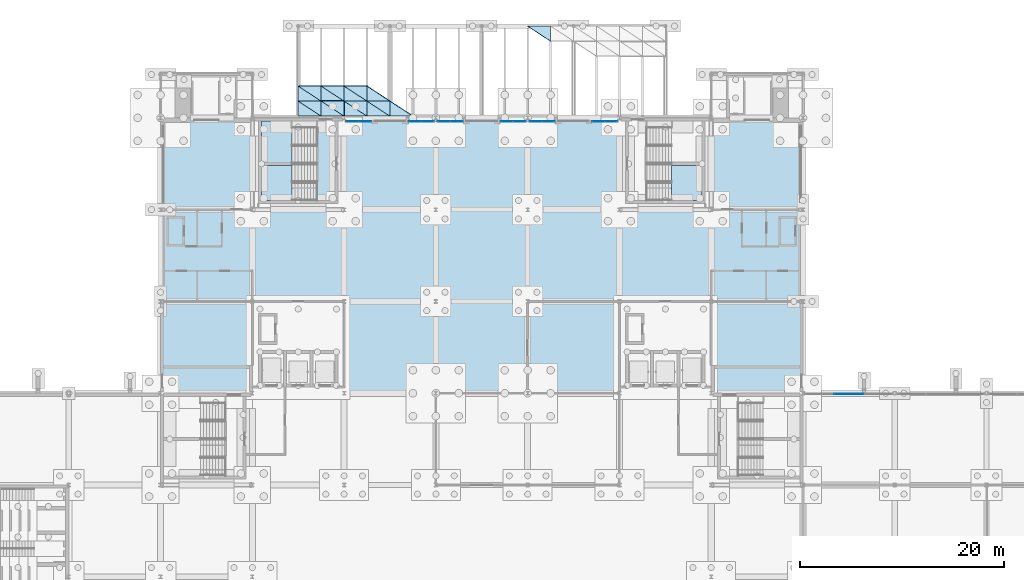
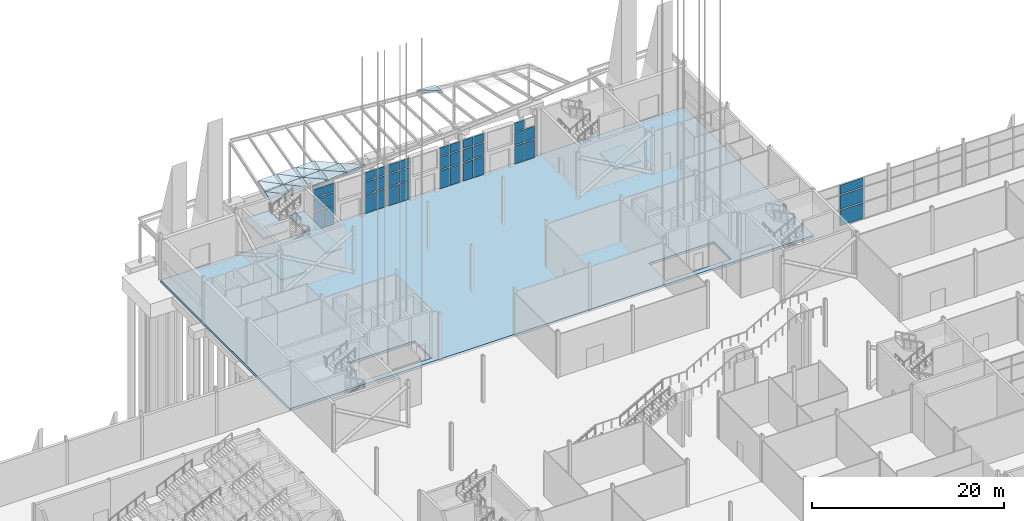
# One storey, part 93 of 139: 38 plates, 22 slabs, 9 elements without a shape of their own.
"""IFC4 building model written with IfcOpenShell, lengths in metres."""

import ifcopenshell
import ifcopenshell.guid

model = None  # the IFC model being written
_history = None  # IfcOwnerHistory: only IFC2X3 demands one
_inside = {}  # id of a spatial element -> (the spatial element, [elements in it])
_under = {}  # id of a project, library or spatial element -> (it, [spatial elements below it])
_declared = {}  # id of a project -> (the project, [libraries it declares])
_typed = {}  # id of a type object -> (the type object, [elements of that type])
_made_of = {}  # id of a material, layer set ... -> (it, [elements and type objects made of it])


def new_model(schema):
    """Start an empty IFC model of exactly this schema.

    Asked for "IFC4X3", IfcOpenShell would pick the latest addendum, in which some entities
    have other attributes; the version numbers below select the first issue.
    IFC2X3 requires an IfcOwnerHistory on every rooted entity: one is made here for all.
    """
    global model, _history
    if schema == "IFC4X3":
        model = ifcopenshell.file(schema_version=(4, 3, 0, 0))
    else:
        model = ifcopenshell.file(schema=schema)
    _inside.clear()
    _under.clear()
    _declared.clear()
    _typed.clear()
    _made_of.clear()
    _history = None
    if model.schema == "IFC2X3":
        org = make("IfcOrganization", Name="unknown")
        user = make(
            "IfcPersonAndOrganization",
            ThePerson=make("IfcPerson", FamilyName="unknown"),
            TheOrganization=org,
        )
        app = make(
            "IfcApplication",
            ApplicationDeveloper=org,
            Version="unknown",
            ApplicationFullName="unknown",
            ApplicationIdentifier="unknown",
        )
        _history = make(
            "IfcOwnerHistory",
            OwningUser=user,
            OwningApplication=app,
            ChangeAction="ADDED",
            CreationDate=0,
        )
    return model


def make(cls, **values):
    """One entity of the class cls with the attributes given. An attribute that is None is left unset."""
    return model.create_entity(
        cls, **{name: value for name, value in values.items() if value is not None}
    )


def rooted(cls, **values):
    """An entity with a GlobalId (a new one), such as an element, a storey or a relation."""
    return make(cls, GlobalId=ifcopenshell.guid.new(), OwnerHistory=_history, **values)


def si_unit(unit_type, name, prefix=None):
    """IfcSIUnit, for example si_unit("LENGTHUNIT", "METRE", prefix="MILLI")."""
    return make("IfcSIUnit", UnitType=unit_type, Prefix=prefix, Name=name)


def assignment(units):
    """IfcUnitAssignment: the units of a project."""
    return None if units is None else make("IfcUnitAssignment", Units=units)


def point(xyz):
    """IfcCartesianPoint."""
    return None if xyz is None else make("IfcCartesianPoint", Coordinates=xyz)


def direction(xyz):
    """IfcDirection."""
    return None if xyz is None else make("IfcDirection", DirectionRatios=xyz)


def frame(location, z_axis=None, x_axis=None):
    """IfcAxis2Placement3D, a coordinate frame: its origin and axes. An axis left out is left unset."""
    return make(
        "IfcAxis2Placement3D",
        Location=point(location),
        Axis=direction(z_axis),
        RefDirection=direction(x_axis),
    )


def frame_2d(location, x_axis=None):
    """IfcAxis2Placement2D, a coordinate frame in the plane: its origin and x axis."""
    return make(
        "IfcAxis2Placement2D", Location=point(location), RefDirection=direction(x_axis)
    )


def origin():
    """The frame at (0, 0, 0) with its axes left unset."""
    return frame((0.0, 0.0, 0.0))


def origin_2d():
    """The frame at (0, 0) in the plane with its x axis left unset."""
    return frame_2d((0.0, 0.0))


def place(relative_to, where):
    """IfcLocalPlacement: puts the frame where relative to a parent placement (None: the world)."""
    return make(
        "IfcLocalPlacement", PlacementRelTo=relative_to, RelativePlacement=where
    )


def context(
    kind, dimensions, precision=None, world=None, true_north=None, identifier=None
):
    """IfcGeometricRepresentationContext, for example the 3D "Model" context."""
    return make(
        "IfcGeometricRepresentationContext",
        ContextIdentifier=identifier,
        ContextType=kind,
        CoordinateSpaceDimension=dimensions,
        Precision=precision,
        WorldCoordinateSystem=world,
        TrueNorth=true_north,
    )


def subcontext(parent, identifier, kind, view, scale=None):
    """IfcGeometricRepresentationSubContext, for example "Body" below "Model"."""
    return make(
        "IfcGeometricRepresentationSubContext",
        ContextIdentifier=identifier,
        ContextType=kind,
        ParentContext=parent,
        TargetScale=scale,
        TargetView=view,
    )


def project(units=None, contexts=None):
    """IfcProject with its units and contexts."""
    return rooted(
        "IfcProject",
        Name="project",
        RepresentationContexts=contexts,
        UnitsInContext=assignment(units),
    )


def spatial(cls, under=None, at=None, **own):
    """A site, building, storey or space (cls), placed at a placement, below another one or the project."""
    s = rooted(cls, ObjectPlacement=at, **own)
    if under is not None:
        _under.setdefault(under.id(), (under, []))[1].append(s)
    return s


def polyline(points):
    """IfcPolyline through the points."""
    return make("IfcPolyline", Points=[point(p) for p in points])


def profile(cls, at=None, kind="AREA", **sizes):
    """A parametric profile (cls). Its sizes go by their IFC names, for example OverallWidth=200.0."""
    return make(cls, ProfileType=kind, Position=at, **sizes)


def rectangle(**sizes):
    """IfcRectangleProfileDef."""
    return profile("IfcRectangleProfileDef", **sizes)


def outline(outer, holes=None, kind="AREA"):
    """IfcArbitraryClosedProfileDef: a profile drawn as a closed curve; with holes, ...WithVoids."""
    if holes is None:
        return make("IfcArbitraryClosedProfileDef", ProfileType=kind, OuterCurve=outer)
    return make(
        "IfcArbitraryProfileDefWithVoids",
        ProfileType=kind,
        OuterCurve=outer,
        InnerCurves=holes,
    )


def extrude(swept, where, along, depth):
    """IfcExtrudedAreaSolid: the profile swept, set in the frame where, extruded along a direction by depth."""
    return make(
        "IfcExtrudedAreaSolid",
        SweptArea=swept,
        Position=where,
        ExtrudedDirection=direction(along),
        Depth=depth,
    )


def shape(context_of_items, identifier, shape_type, items):
    """IfcShapeRepresentation: the items that make up one representation, for example the "Body"."""
    return make(
        "IfcShapeRepresentation",
        ContextOfItems=context_of_items,
        RepresentationIdentifier=identifier,
        RepresentationType=shape_type,
        Items=items,
    )


def material(Name=None, Category=None):
    """IfcMaterial."""
    return make("IfcMaterial", Name=Name, Category=Category)


def layer(
    of_material, thickness, ventilated=None, Name=None, Category=None, Priority=None
):
    """IfcMaterialLayer: one layer of a wall or slab, of a material (None: an air gap)."""
    return make(
        "IfcMaterialLayer",
        Material=of_material,
        LayerThickness=thickness,
        IsVentilated=ventilated,
        Name=Name,
        Category=Category,
        Priority=Priority,
    )


def layer_set(layers, Name=None):
    """IfcMaterialLayerSet."""
    return make("IfcMaterialLayerSet", MaterialLayers=layers, LayerSetName=Name)


def made_of(thing, what):
    """Note that an element or type object is made of a material, layer set ...; save() writes the relation."""
    if what is not None:
        _made_of.setdefault(what.id(), (what, []))[1].append(thing)
    return thing


def type_object(cls, material=None, **own):
    """A type object (cls), such as IfcWallType, which elements share."""
    return made_of(rooted(cls, **own), material)


def element(
    cls,
    number,
    at=None,
    inside=None,
    cuts=None,
    type_object=None,
    material=None,
    context=None,
    identifier="Body",
    shape_type=None,
    held_by="IfcProductDefinitionShape",
    body=None,
    shapes=None,
    **own,
):
    """One element of the class cls, such as IfcWall. Its Tag is "e" and its number.

    at: its placement. inside: the storey or other place that contains it. cuts: it is an
    opening in that element (IfcRelVoidsElement). A single representation is given by context,
    identifier, shape_type and body (its items); several are given by shapes. held_by: the class
    of the entity that holds the representations. save() writes the other relations.
    """
    e = rooted(cls, Tag="e%d" % number, ObjectPlacement=at, **own)
    if body is not None:
        shapes = [shape(context, identifier, shape_type, body)]
    if shapes is not None:
        e.Representation = make(held_by, Representations=shapes)
    if inside is not None:
        _inside.setdefault(inside.id(), (inside, []))[1].append(e)
    if cuts is not None:
        rooted(
            "IfcRelVoidsElement", RelatingBuildingElement=cuts, RelatedOpeningElement=e
        )
    if type_object is not None:
        _typed.setdefault(type_object.id(), (type_object, []))[1].append(e)
    return made_of(e, material)


def aggregate(whole, parts):
    """IfcRelAggregates: a whole, such as a stair, and the parts it consists of."""
    return rooted("IfcRelAggregates", RelatingObject=whole, RelatedObjects=parts)


def save(model, path):
    """Write the relations noted so far, then the file.

    IfcRelAggregates (storeys below a building ...), IfcRelContainedInSpatialStructure (elements
    in a storey), IfcRelDefinesByType, IfcRelAssociatesMaterial and IfcRelDeclares: one each for
    every whole, place, type object, material and project.
    """
    for whole, parts in _under.values():
        aggregate(whole, parts)
    for where, things in _inside.values():
        rooted(
            "IfcRelContainedInSpatialStructure",
            RelatedElements=things,
            RelatingStructure=where,
        )
    for kind, things in _typed.values():
        rooted("IfcRelDefinesByType", RelatedObjects=things, RelatingType=kind)
    for what, things in _made_of.values():
        rooted("IfcRelAssociatesMaterial", RelatedObjects=things, RelatingMaterial=what)
    for by, libraries in _declared.values():
        rooted("IfcRelDeclares", RelatingContext=by, RelatedDefinitions=libraries)
    model.write(path)


model = new_model("IFC4")

# Units and contexts
model_context = context("Model", 3, precision=1e-05, world=origin(), true_north=direction((0.0, 1.0)))
body_context = subcontext(model_context, "Body", "Model", "MODEL_VIEW")
ifc_project = project(units=[si_unit("LENGTHUNIT", "METRE"), si_unit("AREAUNIT", "SQUARE_METRE"), si_unit("VOLUMEUNIT", "CUBIC_METRE"), si_unit("PLANEANGLEUNIT", "RADIAN"), si_unit("MASSUNIT", "GRAM", prefix="KILO")], contexts=[model_context])

# Site, building, storey
site_placement = place(None, origin())
site = spatial("IfcSite", under=ifc_project, at=site_placement, CompositionType="ELEMENT")
building_placement = place(site_placement, origin())
building = spatial("IfcBuilding", under=site, at=building_placement, Name="Shorebreak Coast Museum", CompositionType="ELEMENT")
storey_placement = place(building_placement, origin())
storey = spatial("IfcBuildingStorey", under=building, at=storey_placement, Name="L00", CompositionType="ELEMENT", Elevation=0.0)

# Slabs
ifc_material_1 = material(Name="Concrete N40 (40 MPa)", Category="concrete")
ifc_layer_1 = layer(ifc_material_1, 0.300048828125)
ifc_layer_set_1 = layer_set([ifc_layer_1], Name="Concrete N40 (40 MPa)")
slab_type_1 = type_object("IfcSlabType", Name="Base slab 300 concrete N40", PredefinedType="BASESLAB", material=ifc_layer_set_1)
slab_1_placement = place(storey_placement, frame((0.0, 0.0, -0.300048828125)))
element("IfcSlab", 1, at=slab_1_placement, inside=storey, type_object=slab_type_1, Name="Base slab L00 north arm", PredefinedType="BASESLAB", context=body_context, shape_type="SweptSolid", body=[
    extrude(outline(polyline([(54.0, 117.0), (54.0, 90.0), (117.0, 90.0), (117.0, 117.0), (54.0, 117.0)]), holes=[polyline([(99.60009765625, 94.199951171875), (107.39990234375, 94.199951171875), (107.39990234375, 90.60009765625), (99.60009765625, 90.60009765625), (99.60009765625, 94.199951171875)]), polyline([(71.39990234375, 94.199951171875), (71.39990234375, 90.60009765625), (63.60009765625, 90.60009765625), (63.60009765625, 94.199951171875), (71.39990234375, 94.199951171875)])]), origin(), (0.0, 0.0, 1.0), 0.300048828125),
])
ifc_material_2 = material(Name="Concrete N50 (50 MPa)", Category="concrete")
ifc_layer_2 = layer(ifc_material_2, 0.25)
ifc_layer_set_2 = layer_set([ifc_layer_2], Name="Concrete N50 (50 MPa)")
slab_type_2 = type_object("IfcSlabType", Name="Canopy facet slab 250", PredefinedType="ROOF", material=ifc_layer_set_2)
slab_2_placement = place(storey_placement, frame((67.5, 117.16357421875, 5.054443359375), z_axis=(-0.075953357636, -0.315361346587, 0.945927221589), x_axis=(0.996791849979, 0.0, 0.080037540037)))
element("IfcSlab", 2, at=slab_2_placement, inside=storey, type_object=slab_type_2, Name="Canopy facet CAN-N 1.1a", PredefinedType="ROOF", context=body_context, shape_type="SweptSolid", body=[
    extrude(outline(polyline([(0.0, 0.0), (2.257241569588644, 0.0), (0.039295774661909304, 1.5518442796851366), (0.0, 0.0)])), origin(), (0.0, 0.0, -1.0), 0.25),
])
slab_3_placement = place(storey_placement, frame((69.75, 117.16357421875, 5.235107421875), z_axis=(-0.050870038751, -0.279735130341, 0.958728583078), x_axis=(0.0, 0.959971475974, 0.280097778136)))
element("IfcSlab", 3, at=slab_3_placement, inside=storey, type_object=slab_type_2, Name="Canopy facet CAN-N 1.1b", PredefinedType="ROOF", context=body_context, shape_type="SweptSolid", body=[
    extrude(outline(polyline([(0.0, 0.0), (1.5340625079573231, -3.469446951953614e-18), (1.5006231003625192, 2.2529168933369568), (0.0, 0.0)])), origin(), (0.0, 0.0, -1.0), 0.25),
])
slab_4_placement = place(storey_placement, frame((69.75, 117.16357421875, 5.235107421875), z_axis=(-0.076956311201, -0.27926713862, 0.957124647814), x_axis=(0.996783215266, 0.0, 0.080145004613)))
element("IfcSlab", 4, at=slab_4_placement, inside=storey, type_object=slab_type_2, Name="Canopy facet CAN-N 1.2a", PredefinedType="ROOF", context=body_context, shape_type="SweptSolid", body=[
    extrude(outline(polyline([(0.0, 0.0), (2.257261123121983, -6.938893903907228e-18), (0.03443730666958051, 1.5336759273815501), (0.0, 0.0)])), origin(), (0.0, 0.0, -1.0), 0.25),
])
slab_5_placement = place(storey_placement, frame((72.0, 117.16357421875, 5.416015625), z_axis=(-0.051407596585, -0.242214933602, 0.968859734406), x_axis=(0.0, 0.970142500145, 0.242535625036)))
element("IfcSlab", 5, at=slab_5_placement, inside=storey, type_object=slab_type_2, Name="Canopy facet CAN-N 1.2b", PredefinedType="ROOF", context=body_context, shape_type="SweptSolid", body=[
    extrude(outline(polyline([(0.0, 0.0), (1.517979317244002, 0.0), (1.4890242584933264, 2.2529789894351167), (0.0, 0.0)])), origin(), (0.0, 0.0, -1.0), 0.25),
])
slab_6_placement = place(storey_placement, frame((72.0, 117.16357421875, 5.416015625), z_axis=(-0.077662453114, -0.241803097262, 0.967212389049), x_axis=(0.996791849979, 0.0, 0.080037540037)))
element("IfcSlab", 6, at=slab_6_placement, inside=storey, type_object=slab_type_2, Name="Canopy facet CAN-N 1.3a", PredefinedType="ROOF", context=body_context, shape_type="SweptSolid", body=[
    extrude(outline(polyline([(0.0, 0.0), (2.257241569588644, -6.938893903907228e-18), (0.029466945892669932, 1.5176932847846183), (0.0, 0.0)])), origin(), (0.0, 0.0, -1.0), 0.25),
])
slab_7_placement = place(storey_placement, frame((74.25, 117.16357421875, 5.5966796875), z_axis=(-0.051770001591, -0.203577196324, 0.977689210369), x_axis=(0.0, 0.979002018424, 0.203850552908)))
element("IfcSlab", 7, at=slab_7_placement, inside=storey, type_object=slab_type_2, Name="Canopy facet CAN-N 1.3b", PredefinedType="ROOF", context=body_context, shape_type="SweptSolid", body=[
    extrude(outline(polyline([(0.0, 0.0), (1.5042423021456528, -1.734723475976807e-18), (1.4799554198655975, 2.2530212240177643), (0.0, 0.0)])), origin(), (0.0, 0.0, -1.0), 0.25),
])
slab_8_placement = place(storey_placement, frame((74.25, 117.16357421875, 5.5966796875), z_axis=(-0.078367344711, -0.203223620816, 0.975991147104), x_axis=(0.996791849979, 0.0, 0.080037540037)))
element("IfcSlab", 8, at=slab_8_placement, inside=storey, type_object=slab_type_2, Name="Canopy facet CAN-N 1.4a", PredefinedType="ROOF", context=body_context, shape_type="SweptSolid", body=[
    extrude(outline(polyline([(0.0, 0.0), (2.257241569588644, -6.938893903907228e-18), (0.02454276130052615, 1.504042072693513), (0.0, 0.0)])), origin(), (0.0, 0.0, -1.0), 0.25),
])
slab_9_placement = place(storey_placement, frame((76.5, 117.16357421875, 5.77734375), z_axis=(-0.052266889115, -0.164121314927, 0.985054499146), x_axis=(0.0, 0.986402761774, 0.164345950859)))
element("IfcSlab", 9, at=slab_9_placement, inside=storey, type_object=slab_type_2, Name="Canopy facet CAN-N 1.4b", PredefinedType="ROOF", context=body_context, shape_type="SweptSolid", body=[
    extrude(outline(polyline([(0.0, 0.0), (1.4929563329191267, 0.0), (1.473335930094372, 2.2530796173363092), (0.0, 0.0)])), origin(), (0.0, 0.0, -1.0), 0.25),
])
slab_10_placement = place(storey_placement, frame((76.5, 117.16357421875, 5.77734375), z_axis=(-0.078956081469, -0.163832878488, 0.98332330651), x_axis=(0.996791849979, 0.0, 0.080037540037)))
element("IfcSlab", 10, at=slab_10_placement, inside=storey, type_object=slab_type_2, Name="Canopy facet CAN-N 1.5a", PredefinedType="ROOF", context=body_context, shape_type="SweptSolid", body=[
    extrude(outline(polyline([(0.0, 0.0), (2.257241569588644, -3.469446951953614e-18), (0.019638117123430558, 1.4928271689513066), (0.0, 0.0)])), origin(), (0.0, 0.0, -1.0), 0.25),
])
slab_11_placement = place(storey_placement, frame((67.5, 118.63623046875, 5.54541015625), z_axis=(-0.050273385481, -0.315827894068, 0.947483682203), x_axis=(0.998595289099, 0.0, 0.052985362019)))
element("IfcSlab", 11, at=slab_11_placement, inside=storey, type_object=slab_type_2, Name="Canopy facet CAN-N 2.1a", PredefinedType="ROOF", context=body_context, shape_type="SweptSolid", body=[
    extrude(outline(polyline([(0.0, 0.0), (2.253165045500071, -6.938893903907228e-18), (0.02601405347186628, 1.5523553798531244), (0.0, 0.0)])), origin(), (0.0, 0.0, -1.0), 0.25),
])
slab_12_placement = place(storey_placement, frame((69.75, 118.63623046875, 5.664794921875), z_axis=(-0.024680667007, -0.279823076264, 0.959734291701), x_axis=(0.0, 0.960026729337, 0.279908340279)))
element("IfcSlab", 12, at=slab_12_placement, inside=storey, type_object=slab_type_2, Name="Canopy facet CAN-N 2.1b", PredefinedType="ROOF", context=body_context, shape_type="SweptSolid", body=[
    extrude(outline(polyline([(0.0, 0.0), (1.5342285226179844, 0.0), (1.5180326542961657, 2.2506855904683114), (0.0, 0.0)])), origin(), (0.0, 0.0, -1.0), 0.25),
])
slab_13_placement = place(storey_placement, frame((69.75, 118.63623046875, 5.664794921875), z_axis=(-0.050872959115, -0.279545896115, 0.958783622094), x_axis=(0.998595289099, 0.0, 0.052985362019)))
element("IfcSlab", 13, at=slab_13_placement, inside=storey, type_object=slab_type_2, Name="Canopy facet CAN-N 2.2a", PredefinedType="ROOF", context=body_context, shape_type="SweptSolid", body=[
    extrude(outline(polyline([(0.0, 0.0), (2.253165045500071, -6.938893903907228e-18), (0.02275421186325847, 1.5340597789711599), (0.0, 0.0)])), origin(), (0.0, 0.0, -1.0), 0.25),
])
slab_14_placement = place(storey_placement, frame((72.0, 118.63623046875, 5.7841796875), z_axis=(-0.025045978093, -0.242421716294, 0.969847622284), x_axis=(0.0, 0.970151958675, 0.242497787781)))
element("IfcSlab", 14, at=slab_14_placement, inside=storey, type_object=slab_type_2, Name="Canopy facet CAN-N 2.2b", PredefinedType="ROOF", context=body_context, shape_type="SweptSolid", body=[
    extrude(outline(polyline([(0.0, 0.0), (1.5182161695950223, 1.734723475976807e-18), (1.5041257219651745, 2.250706045840782), (0.0, 0.0)])), origin(), (0.0, 0.0, -1.0), 0.25),
])
slab_15_placement = place(storey_placement, frame((72.0, 118.63623046875, 5.7841796875), z_axis=(-0.051303244418, -0.242178447651, 0.968874386392), x_axis=(0.998601016426, 0.0, 0.052877310766)))
element("IfcSlab", 15, at=slab_15_placement, inside=storey, type_object=slab_type_2, Name="Canopy facet CAN-N 2.3a", PredefinedType="ROOF", context=body_context, shape_type="SweptSolid", body=[
    extrude(outline(polyline([(0.0, 0.0), (2.253152122810484, 3.469446951953614e-18), (0.0194675255455348, 1.518091352017037), (0.0, 0.0)])), origin(), (0.0, 0.0, -1.0), 0.25),
])
slab_16_placement = place(storey_placement, frame((74.25, 118.63623046875, 5.9033203125), z_axis=(-0.025167524689, -0.203909084961, 0.978666276507), x_axis=(0.0, 0.978976369539, 0.203973694101)))
element("IfcSlab", 16, at=slab_16_placement, inside=storey, type_object=slab_type_2, Name="Canopy facet CAN-N 2.3b", PredefinedType="ROOF", context=body_context, shape_type="SweptSolid", body=[
    extrude(outline(polyline([(0.0, 0.0), (1.5045310964137593, 8.673617379884035e-19), (1.4927289075705261, 2.25071291852846), (0.0, 0.0)])), origin(), (0.0, 0.0, -1.0), 0.25),
])
slab_17_placement = place(storey_placement, frame((74.25, 118.63623046875, 5.9033203125), z_axis=(-0.051874447025, -0.203699066876, 0.977658289946), x_axis=(0.998595289099, 0.0, 0.052985362019)))
element("IfcSlab", 17, at=slab_17_placement, inside=storey, type_object=slab_type_2, Name="Canopy facet CAN-N 2.4a", PredefinedType="ROOF", context=body_context, shape_type="SweptSolid", body=[
    extrude(outline(polyline([(0.0, 0.0), (2.253165045500071, -3.469446951953614e-18), (0.01626040040484133, 1.504443225733249), (0.0, 0.0)])), origin(), (0.0, 0.0, -1.0), 0.25),
])
slab_18_placement = place(storey_placement, frame((92.25, 124.52734375, 6.12158203125), z_axis=(0.082408564343, 0.123612846515, 0.988902772116), x_axis=(0.0, 0.992277876714, -0.124034734589)))
element("IfcSlab", 18, at=slab_18_placement, inside=storey, type_object=slab_type_2, Name="Canopy facet CAN-N 6.11b", PredefinedType="ROOF", context=body_context, shape_type="SweptSolid", body=[
    extrude(outline(polyline([(0.0, 0.0), (1.4841167827678483, 0.0), (1.4608602700323718, 2.25767920321187), (0.0, 0.0)])), origin(), (0.0, 0.0, -1.0), 0.25),
])

# Curtain wall, plates
ifc_material_3 = material(Name="Aluminium", Category="aluminium")
ifc_layer_3 = layer(ifc_material_3, 0.1201171875)
ifc_layer_set_3 = layer_set([ifc_layer_3], Name="Aluminium")
curtain_wall_type_1 = type_object("IfcCurtainWallType", Name="Entrance sidelight curtain wall", PredefinedType="NOTDEFINED", material=ifc_layer_set_3)
curtain_wall_1_placement = place(storey_placement, origin())
curtain_wall_1 = element("IfcCurtainWall", 19, at=curtain_wall_1_placement, inside=storey, type_object=curtain_wall_type_1, Name="Entrance glazing ENT-N 5", PredefinedType="NOTDEFINED")
ifc_material_4 = material(Name="Glass", Category="glass")
ifc_layer_4 = layer(ifc_material_4, 0.028076171875)
ifc_layer_set_4 = layer_set([ifc_layer_4], Name="Glass")
plate_type_1 = type_object("IfcPlateType", Name="Entrance glass panel 28", PredefinedType="CURTAIN_PANEL", material=ifc_layer_set_4)
plate_1_placement = place(storey_placement, frame((72.80419921875, 116.6416015625, 0.1201171875), z_axis=(0.0, 0.0, 1.0), x_axis=(1.0, 0.0, 0.0)))
plate_1 = element("IfcPlate", 20, at=plate_1_placement, type_object=plate_type_1, Name="CW2 panel 1.1", PredefinedType="CURTAIN_PANEL", context=body_context, shape_type="SweptSolid", body=[
    extrude(rectangle(XDim=1.197265625, YDim=0.028076171875, at=origin_2d()), origin(), (0.0, 0.0, 1.0), 2.320068359375),
])
plate_2_placement = place(storey_placement, frame((72.80419921875, 116.6416015625, 2.56005859375), z_axis=(0.0, 0.0, 1.0), x_axis=(1.0, 0.0, 0.0)))
plate_2 = element("IfcPlate", 21, at=plate_2_placement, type_object=plate_type_1, Name="CW2 panel 1.2", PredefinedType="CURTAIN_PANEL", context=body_context, shape_type="SweptSolid", body=[
    extrude(rectangle(XDim=1.197265625, YDim=0.028076171875, at=origin_2d()), origin(), (0.0, 0.0, 1.0), 1.580078125),
])
plate_3_placement = place(storey_placement, frame((72.80419921875, 116.6416015625, 4.260009765625), z_axis=(0.0, 0.0, 1.0), x_axis=(1.0, 0.0, 0.0)))
plate_3 = element("IfcPlate", 22, at=plate_3_placement, type_object=plate_type_1, Name="CW2 panel 1.3", PredefinedType="CURTAIN_PANEL", context=body_context, shape_type="SweptSolid", body=[
    extrude(rectangle(XDim=1.197265625, YDim=0.028076171875, at=origin_2d()), origin(), (0.0, 0.0, 1.0), 1.08642578125),
])
plate_4_placement = place(storey_placement, frame((74.05126953125, 116.6416015625, 0.1201171875), z_axis=(0.0, 0.0, 1.0), x_axis=(1.0, 0.0, 0.0)))
plate_4 = element("IfcPlate", 23, at=plate_4_placement, type_object=plate_type_1, Name="CW2 panel 2.1", PredefinedType="CURTAIN_PANEL", context=body_context, shape_type="SweptSolid", body=[
    extrude(rectangle(XDim=1.197265625, YDim=0.028076171875, at=origin_2d()), origin(), (0.0, 0.0, 1.0), 2.320068359375),
])
plate_5_placement = place(storey_placement, frame((74.05126953125, 116.6416015625, 2.56005859375), z_axis=(0.0, 0.0, 1.0), x_axis=(1.0, 0.0, 0.0)))
plate_5 = element("IfcPlate", 24, at=plate_5_placement, type_object=plate_type_1, Name="CW2 panel 2.2", PredefinedType="CURTAIN_PANEL", context=body_context, shape_type="SweptSolid", body=[
    extrude(rectangle(XDim=1.197265625, YDim=0.028076171875, at=origin_2d()), origin(), (0.0, 0.0, 1.0), 1.580078125),
])
plate_6_placement = place(storey_placement, frame((74.05126953125, 116.6416015625, 4.260009765625), z_axis=(0.0, 0.0, 1.0), x_axis=(1.0, 0.0, 0.0)))
plate_6 = element("IfcPlate", 25, at=plate_6_placement, type_object=plate_type_1, Name="CW2 panel 2.3", PredefinedType="CURTAIN_PANEL", context=body_context, shape_type="SweptSolid", body=[
    extrude(rectangle(XDim=1.197265625, YDim=0.028076171875, at=origin_2d()), origin(), (0.0, 0.0, 1.0), 1.08642578125),
])
aggregate(curtain_wall_1, [plate_1, plate_2, plate_3, plate_4, plate_5, plate_6])

curtain_wall_2_placement = place(storey_placement, origin())
curtain_wall_2 = element("IfcCurtainWall", 26, at=curtain_wall_2_placement, inside=storey, type_object=curtain_wall_type_1, Name="Entrance glazing ENT-N 6", PredefinedType="NOTDEFINED")
plate_7_placement = place(storey_placement, frame((78.94873046875, 116.6416015625, 0.1201171875), z_axis=(0.0, 0.0, 1.0), x_axis=(1.0, 0.0, 0.0)))
plate_7 = element("IfcPlate", 27, at=plate_7_placement, type_object=plate_type_1, Name="CW1 panel 1.1", PredefinedType="CURTAIN_PANEL", context=body_context, shape_type="SweptSolid", body=[
    extrude(rectangle(XDim=1.197265625, YDim=0.028076171875, at=origin_2d()), origin(), (0.0, 0.0, 1.0), 2.320068359375),
])
plate_8_placement = place(storey_placement, frame((78.94873046875, 116.6416015625, 2.56005859375), z_axis=(0.0, 0.0, 1.0), x_axis=(1.0, 0.0, 0.0)))
plate_8 = element("IfcPlate", 28, at=plate_8_placement, type_object=plate_type_1, Name="CW1 panel 1.2", PredefinedType="CURTAIN_PANEL", context=body_context, shape_type="SweptSolid", body=[
    extrude(rectangle(XDim=1.197265625, YDim=0.028076171875, at=origin_2d()), origin(), (0.0, 0.0, 1.0), 1.580078125),
])
plate_9_placement = place(storey_placement, frame((78.94873046875, 116.6416015625, 4.260009765625), z_axis=(0.0, 0.0, 1.0), x_axis=(1.0, 0.0, 0.0)))
plate_9 = element("IfcPlate", 29, at=plate_9_placement, type_object=plate_type_1, Name="CW1 panel 1.3", PredefinedType="CURTAIN_PANEL", context=body_context, shape_type="SweptSolid", body=[
    extrude(rectangle(XDim=1.197265625, YDim=0.028076171875, at=origin_2d()), origin(), (0.0, 0.0, 1.0), 1.08642578125),
])
plate_10_placement = place(storey_placement, frame((80.19580078125, 116.6416015625, 0.1201171875), z_axis=(0.0, 0.0, 1.0), x_axis=(1.0, 0.0, 0.0)))
plate_10 = element("IfcPlate", 30, at=plate_10_placement, type_object=plate_type_1, Name="CW1 panel 2.1", PredefinedType="CURTAIN_PANEL", context=body_context, shape_type="SweptSolid", body=[
    extrude(rectangle(XDim=1.197265625, YDim=0.028076171875, at=origin_2d()), origin(), (0.0, 0.0, 1.0), 2.320068359375),
])
plate_11_placement = place(storey_placement, frame((80.19580078125, 116.6416015625, 2.56005859375), z_axis=(0.0, 0.0, 1.0), x_axis=(1.0, 0.0, 0.0)))
plate_11 = element("IfcPlate", 31, at=plate_11_placement, type_object=plate_type_1, Name="CW1 panel 2.2", PredefinedType="CURTAIN_PANEL", context=body_context, shape_type="SweptSolid", body=[
    extrude(rectangle(XDim=1.197265625, YDim=0.028076171875, at=origin_2d()), origin(), (0.0, 0.0, 1.0), 1.580078125),
])
plate_12_placement = place(storey_placement, frame((80.19580078125, 116.6416015625, 4.260009765625), z_axis=(0.0, 0.0, 1.0), x_axis=(1.0, 0.0, 0.0)))
plate_12 = element("IfcPlate", 32, at=plate_12_placement, type_object=plate_type_1, Name="CW1 panel 2.3", PredefinedType="CURTAIN_PANEL", context=body_context, shape_type="SweptSolid", body=[
    extrude(rectangle(XDim=1.197265625, YDim=0.028076171875, at=origin_2d()), origin(), (0.0, 0.0, 1.0), 1.08642578125),
])
aggregate(curtain_wall_2, [plate_7, plate_8, plate_9, plate_10, plate_11, plate_12])

curtain_wall_3_placement = place(storey_placement, origin())
curtain_wall_3 = element("IfcCurtainWall", 33, at=curtain_wall_3_placement, inside=storey, type_object=curtain_wall_type_1, Name="Entrance glazing ENT-N 7", PredefinedType="NOTDEFINED")
plate_13_placement = place(storey_placement, frame((81.80419921875, 116.6416015625, 0.1201171875), z_axis=(0.0, 0.0, 1.0), x_axis=(1.0, 0.0, 0.0)))
plate_13 = element("IfcPlate", 34, at=plate_13_placement, type_object=plate_type_1, Name="CW2 panel 1.1", PredefinedType="CURTAIN_PANEL", context=body_context, shape_type="SweptSolid", body=[
    extrude(rectangle(XDim=1.197265625, YDim=0.028076171875, at=origin_2d()), origin(), (0.0, 0.0, 1.0), 2.320068359375),
])
plate_14_placement = place(storey_placement, frame((81.80419921875, 116.6416015625, 2.56005859375), z_axis=(0.0, 0.0, 1.0), x_axis=(1.0, 0.0, 0.0)))
plate_14 = element("IfcPlate", 35, at=plate_14_placement, type_object=plate_type_1, Name="CW2 panel 1.2", PredefinedType="CURTAIN_PANEL", context=body_context, shape_type="SweptSolid", body=[
    extrude(rectangle(XDim=1.197265625, YDim=0.028076171875, at=origin_2d()), origin(), (0.0, 0.0, 1.0), 1.580078125),
])
plate_15_placement = place(storey_placement, frame((81.80419921875, 116.6416015625, 4.260009765625), z_axis=(0.0, 0.0, 1.0), x_axis=(1.0, 0.0, 0.0)))
plate_15 = element("IfcPlate", 36, at=plate_15_placement, type_object=plate_type_1, Name="CW2 panel 1.3", PredefinedType="CURTAIN_PANEL", context=body_context, shape_type="SweptSolid", body=[
    extrude(rectangle(XDim=1.197265625, YDim=0.028076171875, at=origin_2d()), origin(), (0.0, 0.0, 1.0), 1.08642578125),
])
plate_16_placement = place(storey_placement, frame((83.05126953125, 116.6416015625, 0.1201171875), z_axis=(0.0, 0.0, 1.0), x_axis=(1.0, 0.0, 0.0)))
plate_16 = element("IfcPlate", 37, at=plate_16_placement, type_object=plate_type_1, Name="CW2 panel 2.1", PredefinedType="CURTAIN_PANEL", context=body_context, shape_type="SweptSolid", body=[
    extrude(rectangle(XDim=1.197265625, YDim=0.028076171875, at=origin_2d()), origin(), (0.0, 0.0, 1.0), 2.320068359375),
])
plate_17_placement = place(storey_placement, frame((83.05126953125, 116.6416015625, 2.56005859375), z_axis=(0.0, 0.0, 1.0), x_axis=(1.0, 0.0, 0.0)))
plate_17 = element("IfcPlate", 38, at=plate_17_placement, type_object=plate_type_1, Name="CW2 panel 2.2", PredefinedType="CURTAIN_PANEL", context=body_context, shape_type="SweptSolid", body=[
    extrude(rectangle(XDim=1.197265625, YDim=0.028076171875, at=origin_2d()), origin(), (0.0, 0.0, 1.0), 1.580078125),
])
plate_18_placement = place(storey_placement, frame((83.05126953125, 116.6416015625, 4.260009765625), z_axis=(0.0, 0.0, 1.0), x_axis=(1.0, 0.0, 0.0)))
plate_18 = element("IfcPlate", 39, at=plate_18_placement, type_object=plate_type_1, Name="CW2 panel 2.3", PredefinedType="CURTAIN_PANEL", context=body_context, shape_type="SweptSolid", body=[
    extrude(rectangle(XDim=1.197265625, YDim=0.028076171875, at=origin_2d()), origin(), (0.0, 0.0, 1.0), 1.08642578125),
])
aggregate(curtain_wall_3, [plate_13, plate_14, plate_15, plate_16, plate_17, plate_18])

curtain_wall_4_placement = place(storey_placement, origin())
curtain_wall_4 = element("IfcCurtainWall", 40, at=curtain_wall_4_placement, inside=storey, type_object=curtain_wall_type_1, Name="Entrance glazing ENT-N 8", PredefinedType="NOTDEFINED")
plate_19_placement = place(storey_placement, frame((87.94873046875, 116.6416015625, 0.1201171875), z_axis=(0.0, 0.0, 1.0), x_axis=(1.0, 0.0, 0.0)))
plate_19 = element("IfcPlate", 41, at=plate_19_placement, type_object=plate_type_1, Name="CW1 panel 1.1", PredefinedType="CURTAIN_PANEL", context=body_context, shape_type="SweptSolid", body=[
    extrude(rectangle(XDim=1.197265625, YDim=0.028076171875, at=origin_2d()), origin(), (0.0, 0.0, 1.0), 2.320068359375),
])
plate_20_placement = place(storey_placement, frame((87.94873046875, 116.6416015625, 2.56005859375), z_axis=(0.0, 0.0, 1.0), x_axis=(1.0, 0.0, 0.0)))
plate_20 = element("IfcPlate", 42, at=plate_20_placement, type_object=plate_type_1, Name="CW1 panel 1.2", PredefinedType="CURTAIN_PANEL", context=body_context, shape_type="SweptSolid", body=[
    extrude(rectangle(XDim=1.197265625, YDim=0.028076171875, at=origin_2d()), origin(), (0.0, 0.0, 1.0), 1.580078125),
])
plate_21_placement = place(storey_placement, frame((87.94873046875, 116.6416015625, 4.260009765625), z_axis=(0.0, 0.0, 1.0), x_axis=(1.0, 0.0, 0.0)))
plate_21 = element("IfcPlate", 43, at=plate_21_placement, type_object=plate_type_1, Name="CW1 panel 1.3", PredefinedType="CURTAIN_PANEL", context=body_context, shape_type="SweptSolid", body=[
    extrude(rectangle(XDim=1.197265625, YDim=0.028076171875, at=origin_2d()), origin(), (0.0, 0.0, 1.0), 1.08642578125),
])
plate_22_placement = place(storey_placement, frame((89.19580078125, 116.6416015625, 0.1201171875), z_axis=(0.0, 0.0, 1.0), x_axis=(1.0, 0.0, 0.0)))
plate_22 = element("IfcPlate", 44, at=plate_22_placement, type_object=plate_type_1, Name="CW1 panel 2.1", PredefinedType="CURTAIN_PANEL", context=body_context, shape_type="SweptSolid", body=[
    extrude(rectangle(XDim=1.197265625, YDim=0.028076171875, at=origin_2d()), origin(), (0.0, 0.0, 1.0), 2.320068359375),
])
plate_23_placement = place(storey_placement, frame((89.19580078125, 116.6416015625, 2.56005859375), z_axis=(0.0, 0.0, 1.0), x_axis=(1.0, 0.0, 0.0)))
plate_23 = element("IfcPlate", 45, at=plate_23_placement, type_object=plate_type_1, Name="CW1 panel 2.2", PredefinedType="CURTAIN_PANEL", context=body_context, shape_type="SweptSolid", body=[
    extrude(rectangle(XDim=1.197265625, YDim=0.028076171875, at=origin_2d()), origin(), (0.0, 0.0, 1.0), 1.580078125),
])
plate_24_placement = place(storey_placement, frame((89.19580078125, 116.6416015625, 4.260009765625), z_axis=(0.0, 0.0, 1.0), x_axis=(1.0, 0.0, 0.0)))
plate_24 = element("IfcPlate", 46, at=plate_24_placement, type_object=plate_type_1, Name="CW1 panel 2.3", PredefinedType="CURTAIN_PANEL", context=body_context, shape_type="SweptSolid", body=[
    extrude(rectangle(XDim=1.197265625, YDim=0.028076171875, at=origin_2d()), origin(), (0.0, 0.0, 1.0), 1.08642578125),
])
aggregate(curtain_wall_4, [plate_19, plate_20, plate_21, plate_22, plate_23, plate_24])

curtain_wall_5_placement = place(storey_placement, origin())
curtain_wall_5 = element("IfcCurtainWall", 47, at=curtain_wall_5_placement, inside=storey, type_object=curtain_wall_type_1, Name="Entrance glazing ENT-N 9", PredefinedType="NOTDEFINED")
plate_25_placement = place(storey_placement, frame((90.80419921875, 116.6416015625, 0.1201171875), z_axis=(0.0, 0.0, 1.0), x_axis=(1.0, 0.0, 0.0)))
plate_25 = element("IfcPlate", 48, at=plate_25_placement, type_object=plate_type_1, Name="CW2 panel 1.1", PredefinedType="CURTAIN_PANEL", context=body_context, shape_type="SweptSolid", body=[
    extrude(rectangle(XDim=1.197265625, YDim=0.028076171875, at=origin_2d()), origin(), (0.0, 0.0, 1.0), 2.320068359375),
])
plate_26_placement = place(storey_placement, frame((90.80419921875, 116.6416015625, 2.56005859375), z_axis=(0.0, 0.0, 1.0), x_axis=(1.0, 0.0, 0.0)))
plate_26 = element("IfcPlate", 49, at=plate_26_placement, type_object=plate_type_1, Name="CW2 panel 1.2", PredefinedType="CURTAIN_PANEL", context=body_context, shape_type="SweptSolid", body=[
    extrude(rectangle(XDim=1.197265625, YDim=0.028076171875, at=origin_2d()), origin(), (0.0, 0.0, 1.0), 1.580078125),
])
plate_27_placement = place(storey_placement, frame((90.80419921875, 116.6416015625, 4.260009765625), z_axis=(0.0, 0.0, 1.0), x_axis=(1.0, 0.0, 0.0)))
plate_27 = element("IfcPlate", 50, at=plate_27_placement, type_object=plate_type_1, Name="CW2 panel 1.3", PredefinedType="CURTAIN_PANEL", context=body_context, shape_type="SweptSolid", body=[
    extrude(rectangle(XDim=1.197265625, YDim=0.028076171875, at=origin_2d()), origin(), (0.0, 0.0, 1.0), 1.08642578125),
])
plate_28_placement = place(storey_placement, frame((92.05126953125, 116.6416015625, 0.1201171875), z_axis=(0.0, 0.0, 1.0), x_axis=(1.0, 0.0, 0.0)))
plate_28 = element("IfcPlate", 51, at=plate_28_placement, type_object=plate_type_1, Name="CW2 panel 2.1", PredefinedType="CURTAIN_PANEL", context=body_context, shape_type="SweptSolid", body=[
    extrude(rectangle(XDim=1.197265625, YDim=0.028076171875, at=origin_2d()), origin(), (0.0, 0.0, 1.0), 2.320068359375),
])
plate_29_placement = place(storey_placement, frame((92.05126953125, 116.6416015625, 2.56005859375), z_axis=(0.0, 0.0, 1.0), x_axis=(1.0, 0.0, 0.0)))
plate_29 = element("IfcPlate", 52, at=plate_29_placement, type_object=plate_type_1, Name="CW2 panel 2.2", PredefinedType="CURTAIN_PANEL", context=body_context, shape_type="SweptSolid", body=[
    extrude(rectangle(XDim=1.197265625, YDim=0.028076171875, at=origin_2d()), origin(), (0.0, 0.0, 1.0), 1.580078125),
])
plate_30_placement = place(storey_placement, frame((92.05126953125, 116.6416015625, 4.260009765625), z_axis=(0.0, 0.0, 1.0), x_axis=(1.0, 0.0, 0.0)))
plate_30 = element("IfcPlate", 53, at=plate_30_placement, type_object=plate_type_1, Name="CW2 panel 2.3", PredefinedType="CURTAIN_PANEL", context=body_context, shape_type="SweptSolid", body=[
    extrude(rectangle(XDim=1.197265625, YDim=0.028076171875, at=origin_2d()), origin(), (0.0, 0.0, 1.0), 1.08642578125),
])
aggregate(curtain_wall_5, [plate_25, plate_26, plate_27, plate_28, plate_29, plate_30])

curtain_wall_6_placement = place(storey_placement, origin())
curtain_wall_6 = element("IfcCurtainWall", 54, at=curtain_wall_6_placement, inside=storey, type_object=curtain_wall_type_1, Name="Entrance glazing ENT-N 10", PredefinedType="NOTDEFINED")
plate_31_placement = place(storey_placement, frame((96.94873046875, 116.6416015625, 0.1201171875), z_axis=(0.0, 0.0, 1.0), x_axis=(1.0, 0.0, 0.0)))
plate_31 = element("IfcPlate", 55, at=plate_31_placement, type_object=plate_type_1, Name="CW1 panel 1.1", PredefinedType="CURTAIN_PANEL", context=body_context, shape_type="SweptSolid", body=[
    extrude(rectangle(XDim=1.197265625, YDim=0.028076171875, at=origin_2d()), origin(), (0.0, 0.0, 1.0), 2.320068359375),
])
plate_32_placement = place(storey_placement, frame((96.94873046875, 116.6416015625, 2.56005859375), z_axis=(0.0, 0.0, 1.0), x_axis=(1.0, 0.0, 0.0)))
plate_32 = element("IfcPlate", 56, at=plate_32_placement, type_object=plate_type_1, Name="CW1 panel 1.2", PredefinedType="CURTAIN_PANEL", context=body_context, shape_type="SweptSolid", body=[
    extrude(rectangle(XDim=1.197265625, YDim=0.028076171875, at=origin_2d()), origin(), (0.0, 0.0, 1.0), 1.580078125),
])
plate_33_placement = place(storey_placement, frame((96.94873046875, 116.6416015625, 4.260009765625), z_axis=(0.0, 0.0, 1.0), x_axis=(1.0, 0.0, 0.0)))
plate_33 = element("IfcPlate", 57, at=plate_33_placement, type_object=plate_type_1, Name="CW1 panel 1.3", PredefinedType="CURTAIN_PANEL", context=body_context, shape_type="SweptSolid", body=[
    extrude(rectangle(XDim=1.197265625, YDim=0.028076171875, at=origin_2d()), origin(), (0.0, 0.0, 1.0), 1.08642578125),
])
plate_34_placement = place(storey_placement, frame((98.19580078125, 116.6416015625, 0.1201171875), z_axis=(0.0, 0.0, 1.0), x_axis=(1.0, 0.0, 0.0)))
plate_34 = element("IfcPlate", 58, at=plate_34_placement, type_object=plate_type_1, Name="CW1 panel 2.1", PredefinedType="CURTAIN_PANEL", context=body_context, shape_type="SweptSolid", body=[
    extrude(rectangle(XDim=1.197265625, YDim=0.028076171875, at=origin_2d()), origin(), (0.0, 0.0, 1.0), 2.320068359375),
])
plate_35_placement = place(storey_placement, frame((98.19580078125, 116.6416015625, 2.56005859375), z_axis=(0.0, 0.0, 1.0), x_axis=(1.0, 0.0, 0.0)))
plate_35 = element("IfcPlate", 59, at=plate_35_placement, type_object=plate_type_1, Name="CW1 panel 2.2", PredefinedType="CURTAIN_PANEL", context=body_context, shape_type="SweptSolid", body=[
    extrude(rectangle(XDim=1.197265625, YDim=0.028076171875, at=origin_2d()), origin(), (0.0, 0.0, 1.0), 1.580078125),
])
aggregate(curtain_wall_6, [plate_31, plate_32, plate_33, plate_34, plate_35])

# Stair, slabs
ifc_material_5 = material(Name="Concrete N40 (40 MPa)", Category="concrete")
stair_type = type_object("IfcStairType", Name="Stair run 6 m", PredefinedType="DOUBLE_RETURN_STAIR", material=ifc_material_5)
stair_1_placement = place(storey_placement, origin())
stair_1 = element("IfcStair", 60, at=stair_1_placement, inside=storey, type_object=stair_type, Name="Exit stair ST09-L00", PredefinedType="DOUBLE_RETURN_STAIR")
ifc_material_6 = material(Name="Concrete N40 (40 MPa)", Category="concrete")
ifc_layer_5 = layer(ifc_material_6, 0.199951171875)
ifc_layer_set_5 = layer_set([ifc_layer_5], Name="Concrete N40 (40 MPa)")
slab_type_3 = type_object("IfcSlabType", Name="Stair landing 200", PredefinedType="LANDING", material=ifc_layer_set_5)
slab_19_placement = place(storey_placement, frame((0.0, 0.0, 2.800048828125)))
slab_19 = element("IfcSlab", 61, at=slab_19_placement, type_object=slab_type_3, Name="ST09-L00 landing 1", PredefinedType="LANDING", context=body_context, shape_type="SweptSolid", body=[
    extrude(outline(polyline([(69.300048828125, 108.89990234375), (71.10009765625, 108.89990234375), (71.10009765625, 116.699951171875), (69.300048828125, 116.699951171875), (69.300048828125, 108.89990234375)])), origin(), (0.0, 0.0, 1.0), 0.199951171875),
])
slab_20_placement = place(storey_placement, frame((0.0, 0.0, 1.300048828125)))
slab_20 = element("IfcSlab", 62, at=slab_20_placement, type_object=slab_type_3, Name="ST09-L00 landing 2", PredefinedType="LANDING", context=body_context, shape_type="SweptSolid", body=[
    extrude(outline(polyline([(63.89990234375, 108.89990234375), (66.89990234375, 108.89990234375), (66.89990234375, 112.35009765625), (63.89990234375, 112.35009765625), (63.89990234375, 108.89990234375)])), origin(), (0.0, 0.0, 1.0), 0.199951171875),
])
slab_21_placement = place(storey_placement, frame((0.0, 0.0, 4.300048828125)))
slab_21 = element("IfcSlab", 63, at=slab_21_placement, type_object=slab_type_3, Name="ST09-L00 landing 3", PredefinedType="LANDING", context=body_context, shape_type="SweptSolid", body=[
    extrude(outline(polyline([(63.89990234375, 112.64990234375), (66.89990234375, 112.64990234375), (66.89990234375, 116.699951171875), (63.89990234375, 116.699951171875), (63.89990234375, 112.64990234375)])), origin(), (0.0, 0.0, 1.0), 0.199951171875),
])
aggregate(stair_1, [slab_19, slab_20, slab_21])

# Stair, slab
stair_2_placement = place(storey_placement, origin())
stair_2 = element("IfcStair", 64, at=stair_2_placement, inside=storey, type_object=stair_type, Name="Exit stair ST10-L00", PredefinedType="DOUBLE_RETURN_STAIR")
slab_22_placement = place(storey_placement, frame((0.0, 0.0, 1.300048828125)))
slab_22 = element("IfcSlab", 65, at=slab_22_placement, type_object=slab_type_3, Name="ST10-L00 landing 2", PredefinedType="LANDING", context=body_context, shape_type="SweptSolid", body=[
    extrude(outline(polyline([(104.10009765625, 108.89990234375), (107.10009765625, 108.89990234375), (107.10009765625, 112.35009765625), (104.10009765625, 112.35009765625), (104.10009765625, 108.89990234375)])), origin(), (0.0, 0.0, 1.0), 0.199951171875),
])
aggregate(stair_2, [slab_22])

# Curtain wall, plates
ifc_material_7 = material(Name="Aluminium", Category="aluminium")
ifc_layer_6 = layer(ifc_material_7, 0.14990234375)
ifc_layer_set_6 = layer_set([ifc_layer_6], Name="Aluminium")
curtain_wall_type_2 = type_object("IfcCurtainWallType", Name="Storefront curtain wall", PredefinedType="NOTDEFINED", material=ifc_layer_set_6)
curtain_wall_7_placement = place(storey_placement, origin())
curtain_wall_7 = element("IfcCurtainWall", 66, at=curtain_wall_7_placement, inside=storey, type_object=curtain_wall_type_2, Name="Storefront L00 N 2", PredefinedType="NOTDEFINED")
ifc_material_8 = material(Name="Glass", Category="glass")
ifc_layer_7 = layer(ifc_material_8, 0.031982421875)
ifc_layer_set_7 = layer_set([ifc_layer_7], Name="Glass")
plate_type_2 = type_object("IfcPlateType", Name="Storefront glass panel 32", PredefinedType="CURTAIN_PANEL", material=ifc_layer_set_7)
plate_36_placement = place(storey_placement, frame((121.502685546875, 89.925048828125, 0.14990234375), z_axis=(0.0, 0.0, 1.0), x_axis=(1.0, 0.0, 0.0)))
plate_36 = element("IfcPlate", 67, at=plate_36_placement, type_object=plate_type_2, Name="CW8 panel 2.1", PredefinedType="CURTAIN_PANEL", context=body_context, shape_type="SweptSolid", body=[
    extrude(rectangle(XDim=2.84814453125, YDim=0.031982421875, at=origin_2d()), origin(), (0.0, 0.0, 1.0), 1.962890625),
])
plate_37_placement = place(storey_placement, frame((121.502685546875, 89.925048828125, 2.262939453125), z_axis=(0.0, 0.0, 1.0), x_axis=(1.0, 0.0, 0.0)))
plate_37 = element("IfcPlate", 68, at=plate_37_placement, type_object=plate_type_2, Name="CW8 panel 2.2", PredefinedType="CURTAIN_PANEL", context=body_context, shape_type="SweptSolid", body=[
    extrude(rectangle(XDim=2.84814453125, YDim=0.031982421875, at=origin_2d()), origin(), (0.0, 0.0, 1.0), 1.76416015625),
])
plate_38_placement = place(storey_placement, frame((121.502685546875, 89.925048828125, 4.17724609375), z_axis=(0.0, 0.0, 1.0), x_axis=(1.0, 0.0, 0.0)))
plate_38 = element("IfcPlate", 69, at=plate_38_placement, type_object=plate_type_2, Name="CW8 panel 2.3", PredefinedType="CURTAIN_PANEL", context=body_context, shape_type="SweptSolid", body=[
    extrude(rectangle(XDim=2.84814453125, YDim=0.031982421875, at=origin_2d()), origin(), (0.0, 0.0, 1.0), 1.142333984375),
])
aggregate(curtain_wall_7, [plate_36, plate_37, plate_38])

save(model, "model.ifc")
